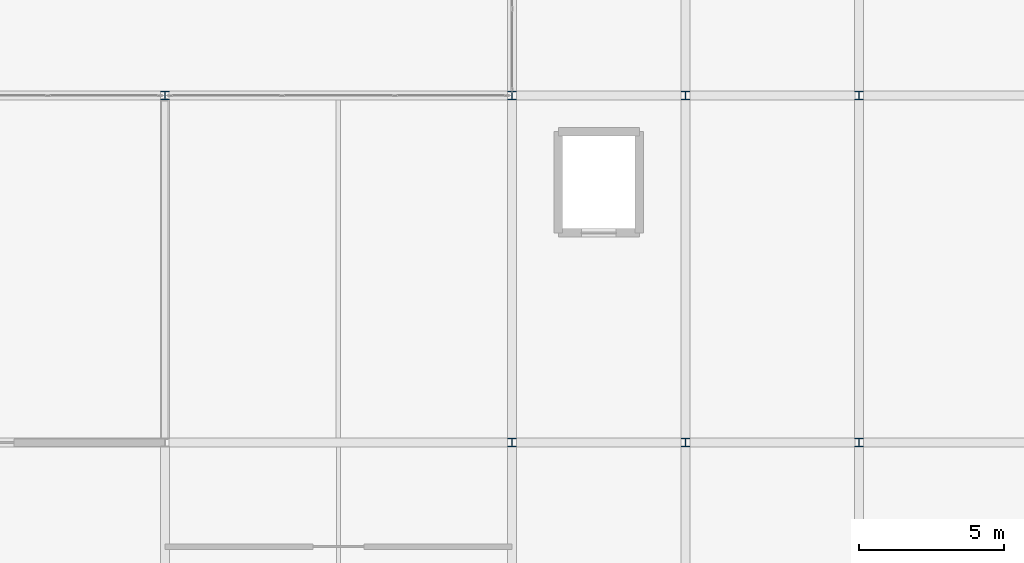
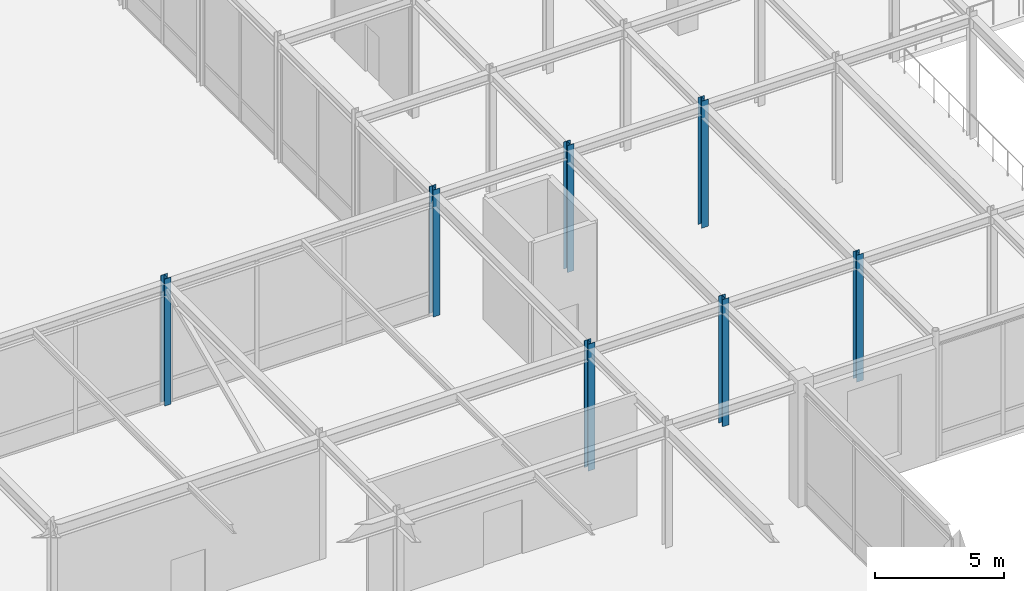
# One storey, part 4 of 108: 7 columns.
"""IFC4 building model written with IfcOpenShell, lengths in metres."""

from ifc_helpers import new_model, si_unit, direction, frame, origin, origin_2d, place, context, subcontext, project, spatial, i_section, extrude, material, material_profile, profile_set, type_object, element, save


model = new_model("IFC4")

# Units and contexts
model_context = context("Model", 3, precision=1e-05, world=origin(), true_north=direction((0.0, 1.0)))
body_context = subcontext(model_context, "Body", "Model", "MODEL_VIEW")
ifc_project = project(units=[si_unit("LENGTHUNIT", "METRE"), si_unit("AREAUNIT", "SQUARE_METRE"), si_unit("VOLUMEUNIT", "CUBIC_METRE"), si_unit("PLANEANGLEUNIT", "RADIAN"), si_unit("MASSUNIT", "GRAM", prefix="KILO")], contexts=[model_context])

# Site, building, storey
site_placement = place(None, origin())
site = spatial("IfcSite", under=ifc_project, at=site_placement, CompositionType="ELEMENT")
building_placement = place(site_placement, origin())
building = spatial("IfcBuilding", under=site, at=building_placement, Name="Zlatovratsky Civic Hall", CompositionType="ELEMENT")
storey_placement = place(building_placement, frame((0.0, 0.0, 6.0)))
storey = spatial("IfcBuildingStorey", under=building, at=storey_placement, Name="L02", CompositionType="ELEMENT", Elevation=6.0)

# Columns
ifc_material = material(Name="Steel S355", Category="steel")
ifc_material_profile = material_profile(ifc_material, i_section(OverallWidth=0.300048828125, OverallDepth=0.300048828125, WebThickness=0.010009765625, FlangeThickness=0.014892578125, FilletRadius=0.01806640625, at=origin_2d()), Name="30K2")
ifc_profile_set = profile_set([ifc_material_profile], Name="Steel S355")
column_type = type_object("IfcColumnType", Name="Col_Steel_30K2", PredefinedType="COLUMN", material=ifc_profile_set)
for number, where, z_axis, x_axis, name in (
    (1, (48.0, 18.0, 0.0), (0.0, 0.0, 1.0), (1.0, 0.0, 0.0), "CL-0864"),
    (2, (54.0, 18.0, 0.0), (0.0, 0.0, 1.0), (1.0, 0.0, 0.0), "CL-0865"),
    (3, (60.0, 18.0, 0.0), (0.0, 0.0, 1.0), (1.0, 0.0, 0.0), "CL-0866"),
    (4, (36.0, 30.0, 0.0), (0.0, 0.0, 1.0), (1.0, 0.0, 0.0), "CL-0886"),
    (5, (48.0, 30.0, 0.0), (0.0, 0.0, 1.0), (1.0, 0.0, 0.0), "CL-0887"),
    (6, (54.0, 30.0, 0.0), (0.0, 0.0, 1.0), (1.0, 0.0, 0.0), "CL-0888"),
    (7, (60.0, 30.0, 0.0), (0.0, 0.0, 1.0), (1.0, 0.0, 0.0), "CL-0889"),
):
    element("IfcColumn", number, at=place(storey_placement, frame(where, z_axis=z_axis, x_axis=x_axis)), inside=storey, type_object=column_type, Name=name, PredefinedType="COLUMN", context=body_context, shape_type="SweptSolid", body=[
        extrude(i_section(OverallWidth=0.300048828125, OverallDepth=0.300048828125, WebThickness=0.010009765625, FlangeThickness=0.014892578125, FilletRadius=0.01806640625, at=origin_2d()), origin(), (0.0, 0.0, 1.0), 6.0),
    ])

save(model, "model.ifc")
